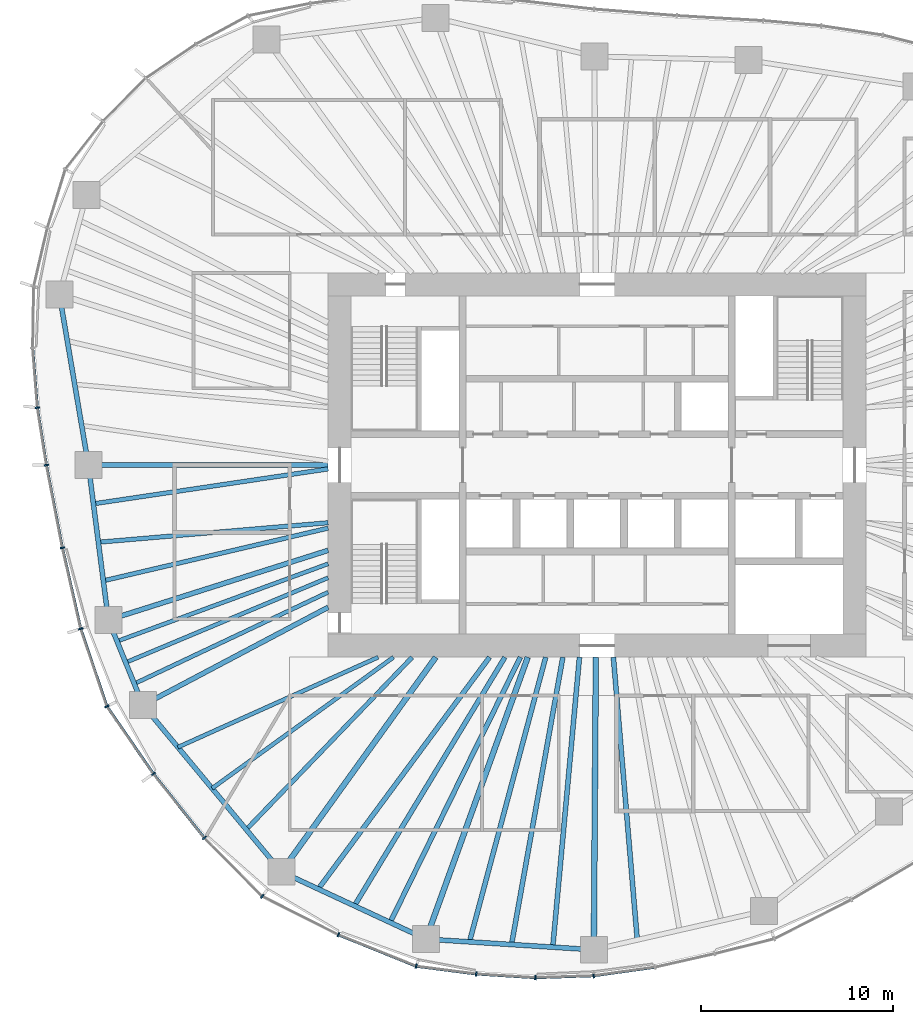
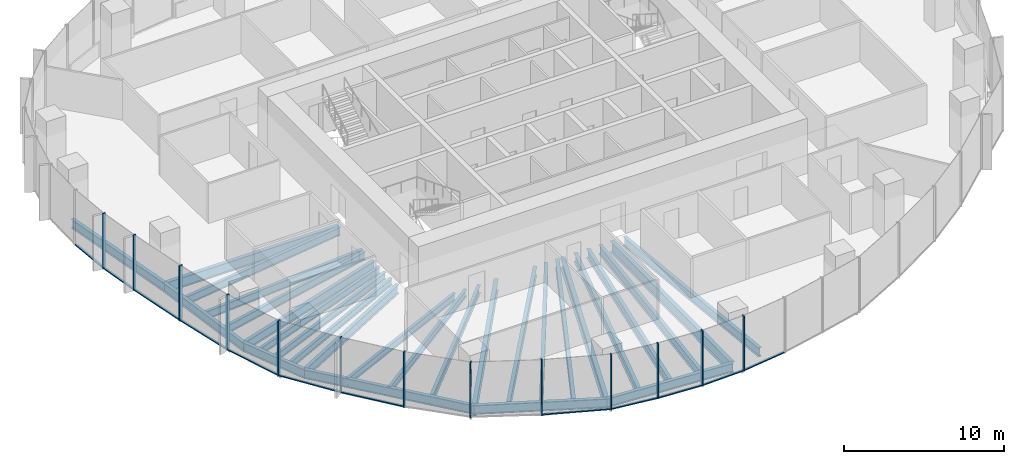
# One storey, part 2 of 18: 28 beams, 25 members, 7 elements without a shape of their own.
"""IFC4 building model written with IfcOpenShell, lengths in metres."""

import ifcopenshell
import ifcopenshell.guid

model = None  # the IFC model being written
_history = None  # IfcOwnerHistory: only IFC2X3 demands one
_inside = {}  # id of a spatial element -> (the spatial element, [elements in it])
_under = {}  # id of a project, library or spatial element -> (it, [spatial elements below it])
_declared = {}  # id of a project -> (the project, [libraries it declares])
_typed = {}  # id of a type object -> (the type object, [elements of that type])
_made_of = {}  # id of a material, layer set ... -> (it, [elements and type objects made of it])


def new_model(schema):
    """Start an empty IFC model of exactly this schema.

    Asked for "IFC4X3", IfcOpenShell would pick the latest addendum, in which some entities
    have other attributes; the version numbers below select the first issue.
    IFC2X3 requires an IfcOwnerHistory on every rooted entity: one is made here for all.
    """
    global model, _history
    if schema == "IFC4X3":
        model = ifcopenshell.file(schema_version=(4, 3, 0, 0))
    else:
        model = ifcopenshell.file(schema=schema)
    _inside.clear()
    _under.clear()
    _declared.clear()
    _typed.clear()
    _made_of.clear()
    _history = None
    if model.schema == "IFC2X3":
        org = make("IfcOrganization", Name="unknown")
        user = make(
            "IfcPersonAndOrganization",
            ThePerson=make("IfcPerson", FamilyName="unknown"),
            TheOrganization=org,
        )
        app = make(
            "IfcApplication",
            ApplicationDeveloper=org,
            Version="unknown",
            ApplicationFullName="unknown",
            ApplicationIdentifier="unknown",
        )
        _history = make(
            "IfcOwnerHistory",
            OwningUser=user,
            OwningApplication=app,
            ChangeAction="ADDED",
            CreationDate=0,
        )
    return model


def make(cls, **values):
    """One entity of the class cls with the attributes given. An attribute that is None is left unset."""
    return model.create_entity(
        cls, **{name: value for name, value in values.items() if value is not None}
    )


def rooted(cls, **values):
    """An entity with a GlobalId (a new one), such as an element, a storey or a relation."""
    return make(cls, GlobalId=ifcopenshell.guid.new(), OwnerHistory=_history, **values)


def si_unit(unit_type, name, prefix=None):
    """IfcSIUnit, for example si_unit("LENGTHUNIT", "METRE", prefix="MILLI")."""
    return make("IfcSIUnit", UnitType=unit_type, Prefix=prefix, Name=name)


def assignment(units):
    """IfcUnitAssignment: the units of a project."""
    return None if units is None else make("IfcUnitAssignment", Units=units)


def point(xyz):
    """IfcCartesianPoint."""
    return None if xyz is None else make("IfcCartesianPoint", Coordinates=xyz)


def direction(xyz):
    """IfcDirection."""
    return None if xyz is None else make("IfcDirection", DirectionRatios=xyz)


def frame(location, z_axis=None, x_axis=None):
    """IfcAxis2Placement3D, a coordinate frame: its origin and axes. An axis left out is left unset."""
    return make(
        "IfcAxis2Placement3D",
        Location=point(location),
        Axis=direction(z_axis),
        RefDirection=direction(x_axis),
    )


def frame_2d(location, x_axis=None):
    """IfcAxis2Placement2D, a coordinate frame in the plane: its origin and x axis."""
    return make(
        "IfcAxis2Placement2D", Location=point(location), RefDirection=direction(x_axis)
    )


def origin():
    """The frame at (0, 0, 0) with its axes left unset."""
    return frame((0.0, 0.0, 0.0))


def origin_2d():
    """The frame at (0, 0) in the plane with its x axis left unset."""
    return frame_2d((0.0, 0.0))


def place(relative_to, where):
    """IfcLocalPlacement: puts the frame where relative to a parent placement (None: the world)."""
    return make(
        "IfcLocalPlacement", PlacementRelTo=relative_to, RelativePlacement=where
    )


def context(
    kind, dimensions, precision=None, world=None, true_north=None, identifier=None
):
    """IfcGeometricRepresentationContext, for example the 3D "Model" context."""
    return make(
        "IfcGeometricRepresentationContext",
        ContextIdentifier=identifier,
        ContextType=kind,
        CoordinateSpaceDimension=dimensions,
        Precision=precision,
        WorldCoordinateSystem=world,
        TrueNorth=true_north,
    )


def subcontext(parent, identifier, kind, view, scale=None):
    """IfcGeometricRepresentationSubContext, for example "Body" below "Model"."""
    return make(
        "IfcGeometricRepresentationSubContext",
        ContextIdentifier=identifier,
        ContextType=kind,
        ParentContext=parent,
        TargetScale=scale,
        TargetView=view,
    )


def project(units=None, contexts=None):
    """IfcProject with its units and contexts."""
    return rooted(
        "IfcProject",
        Name="project",
        RepresentationContexts=contexts,
        UnitsInContext=assignment(units),
    )


def spatial(cls, under=None, at=None, **own):
    """A site, building, storey or space (cls), placed at a placement, below another one or the project."""
    s = rooted(cls, ObjectPlacement=at, **own)
    if under is not None:
        _under.setdefault(under.id(), (under, []))[1].append(s)
    return s


def profile(cls, at=None, kind="AREA", **sizes):
    """A parametric profile (cls). Its sizes go by their IFC names, for example OverallWidth=200.0."""
    return make(cls, ProfileType=kind, Position=at, **sizes)


def rectangle(**sizes):
    """IfcRectangleProfileDef."""
    return profile("IfcRectangleProfileDef", **sizes)


def i_section(**sizes):
    """IfcIShapeProfileDef."""
    return profile("IfcIShapeProfileDef", **sizes)


def extrude(swept, where, along, depth):
    """IfcExtrudedAreaSolid: the profile swept, set in the frame where, extruded along a direction by depth."""
    return make(
        "IfcExtrudedAreaSolid",
        SweptArea=swept,
        Position=where,
        ExtrudedDirection=direction(along),
        Depth=depth,
    )


def shape(context_of_items, identifier, shape_type, items):
    """IfcShapeRepresentation: the items that make up one representation, for example the "Body"."""
    return make(
        "IfcShapeRepresentation",
        ContextOfItems=context_of_items,
        RepresentationIdentifier=identifier,
        RepresentationType=shape_type,
        Items=items,
    )


def material(Name=None, Category=None):
    """IfcMaterial."""
    return make("IfcMaterial", Name=Name, Category=Category)


def material_profile(
    of_material, cross_section, Name=None, Category=None, Priority=None
):
    """IfcMaterialProfile: a cross section and its material."""
    return make(
        "IfcMaterialProfile",
        Name=Name,
        Material=of_material,
        Profile=cross_section,
        Priority=Priority,
        Category=Category,
    )


def profile_set(profiles, Name=None, composite=None):
    """IfcMaterialProfileSet."""
    return make(
        "IfcMaterialProfileSet",
        Name=Name,
        MaterialProfiles=profiles,
        CompositeProfile=composite,
    )


def made_of(thing, what):
    """Note that an element or type object is made of a material, layer set ...; save() writes the relation."""
    if what is not None:
        _made_of.setdefault(what.id(), (what, []))[1].append(thing)
    return thing


def type_object(cls, material=None, **own):
    """A type object (cls), such as IfcWallType, which elements share."""
    return made_of(rooted(cls, **own), material)


def element(
    cls,
    number,
    at=None,
    inside=None,
    cuts=None,
    type_object=None,
    material=None,
    context=None,
    identifier="Body",
    shape_type=None,
    held_by="IfcProductDefinitionShape",
    body=None,
    shapes=None,
    **own,
):
    """One element of the class cls, such as IfcWall. Its Tag is "e" and its number.

    at: its placement. inside: the storey or other place that contains it. cuts: it is an
    opening in that element (IfcRelVoidsElement). A single representation is given by context,
    identifier, shape_type and body (its items); several are given by shapes. held_by: the class
    of the entity that holds the representations. save() writes the other relations.
    """
    e = rooted(cls, Tag="e%d" % number, ObjectPlacement=at, **own)
    if body is not None:
        shapes = [shape(context, identifier, shape_type, body)]
    if shapes is not None:
        e.Representation = make(held_by, Representations=shapes)
    if inside is not None:
        _inside.setdefault(inside.id(), (inside, []))[1].append(e)
    if cuts is not None:
        rooted(
            "IfcRelVoidsElement", RelatingBuildingElement=cuts, RelatedOpeningElement=e
        )
    if type_object is not None:
        _typed.setdefault(type_object.id(), (type_object, []))[1].append(e)
    return made_of(e, material)


def aggregate(whole, parts):
    """IfcRelAggregates: a whole, such as a stair, and the parts it consists of."""
    return rooted("IfcRelAggregates", RelatingObject=whole, RelatedObjects=parts)


def save(model, path):
    """Write the relations noted so far, then the file.

    IfcRelAggregates (storeys below a building ...), IfcRelContainedInSpatialStructure (elements
    in a storey), IfcRelDefinesByType, IfcRelAssociatesMaterial and IfcRelDeclares: one each for
    every whole, place, type object, material and project.
    """
    for whole, parts in _under.values():
        aggregate(whole, parts)
    for where, things in _inside.values():
        rooted(
            "IfcRelContainedInSpatialStructure",
            RelatedElements=things,
            RelatingStructure=where,
        )
    for kind, things in _typed.values():
        rooted("IfcRelDefinesByType", RelatedObjects=things, RelatingType=kind)
    for what, things in _made_of.values():
        rooted("IfcRelAssociatesMaterial", RelatedObjects=things, RelatingMaterial=what)
    for by, libraries in _declared.values():
        rooted("IfcRelDeclares", RelatingContext=by, RelatedDefinitions=libraries)
    model.write(path)


model = new_model("IFC4")

# Units and contexts
model_context = context("Model", 3, precision=1e-05, world=origin(), true_north=direction((0.0, 1.0)))
body_context = subcontext(model_context, "Body", "Model", "MODEL_VIEW")
ifc_project = project(units=[si_unit("LENGTHUNIT", "METRE"), si_unit("AREAUNIT", "SQUARE_METRE"), si_unit("VOLUMEUNIT", "CUBIC_METRE"), si_unit("PLANEANGLEUNIT", "RADIAN"), si_unit("MASSUNIT", "GRAM", prefix="KILO")], contexts=[model_context])

# Site, building, storey
site_placement = place(None, origin())
site = spatial("IfcSite", under=ifc_project, at=site_placement, CompositionType="ELEMENT")
building_placement = place(site_placement, origin())
building = spatial("IfcBuilding", under=site, at=building_placement, Name="Ghaith Harvest Tower", CompositionType="ELEMENT")
storey_placement = place(building_placement, frame((0.0, 0.0, 163.800048828125)))
storey = spatial("IfcBuildingStorey", under=building, at=storey_placement, Name="L35", CompositionType="ELEMENT", Elevation=163.800048828125)

# Curtain wall, member
ifc_material_1 = material(Name="Black anodised aluminium and fritted glass", Category="aluminium")
curtain_wall_type = type_object("IfcCurtainWallType", Name="CW-L CURTAIN WALL", PredefinedType="NOTDEFINED", material=ifc_material_1)
curtain_wall_1_placement = place(storey_placement, origin())
curtain_wall_1 = element("IfcCurtainWall", 1, at=curtain_wall_1_placement, inside=storey, type_object=curtain_wall_type, Name="Curtain wall CW-L bay 10 L35", PredefinedType="NOTDEFINED")
ifc_material_2 = material(Name="Aluminium, black anodised", Category="aluminium")
ifc_material_profile_1 = material_profile(ifc_material_2, rectangle(XDim=0.080078125, YDim=0.239990234375, at=origin_2d()), Name="CW-L MULLION 80x240")
ifc_profile_set_1 = profile_set([ifc_material_profile_1], Name="Aluminium, black anodised")
member_type_1 = type_object("IfcMemberType", Name="CW-L MULLION 80x240", PredefinedType="MULLION", material=ifc_profile_set_1)
member_1_placement = place(storey_placement, frame((-29.131103515625, 2.990478515625, 0.0), z_axis=(0.0, 0.0, 1.0), x_axis=(0.116763791346, -0.993159713757, 0.0)))
member_1 = element("IfcMember", 2, at=member_1_placement, type_object=member_type_1, Name="CW-L mullion 3 bay 10 L35", PredefinedType="MULLION", context=body_context, shape_type="SweptSolid", body=[
    extrude(rectangle(XDim=0.080078125, YDim=0.239990234375, at=origin_2d()), origin(), (0.0, 0.0, 1.0), 4.199951171875),
])

# Curtain wall, members
curtain_wall_2_placement = place(storey_placement, origin())
curtain_wall_2 = element("IfcCurtainWall", 3, at=curtain_wall_2_placement, inside=storey, type_object=curtain_wall_type, Name="Curtain wall CW-L bay 11 L35", PredefinedType="NOTDEFINED")
member_2_placement = place(storey_placement, frame((-28.6611328125, 0.0, 0.0), z_axis=(0.0, 0.0, 1.0), x_axis=(0.175827209372, -0.984421044292, 0.0)))
member_2 = element("IfcMember", 4, at=member_2_placement, type_object=member_type_1, Name="CW-L mullion 1 bay 11 L35", PredefinedType="MULLION", context=body_context, shape_type="SweptSolid", body=[
    extrude(rectangle(XDim=0.080078125, YDim=0.239990234375, at=origin_2d()), origin(), (0.0, 0.0, 1.0), 4.199951171875),
])
member_3_placement = place(storey_placement, frame((-27.828125, -4.30419921875, 0.0), z_axis=(0.0, 0.0, 1.0), x_axis=(0.205176300018, -0.978725030798, 0.0)))
member_3 = element("IfcMember", 5, at=member_3_placement, type_object=member_type_1, Name="CW-L mullion 2 bay 11 L35", PredefinedType="MULLION", context=body_context, shape_type="SweptSolid", body=[
    extrude(rectangle(XDim=0.080078125, YDim=0.239990234375, at=origin_2d()), origin(), (0.0, 0.0, 1.0), 4.199951171875),
])

curtain_wall_3_placement = place(storey_placement, origin())
curtain_wall_3 = element("IfcCurtainWall", 6, at=curtain_wall_3_placement, inside=storey, type_object=curtain_wall_type, Name="Curtain wall CW-L bay 12 L35", PredefinedType="NOTDEFINED")
member_4_placement = place(storey_placement, frame((-26.875732421875, -8.517333984375, 0.0), z_axis=(0.0, 0.0, 1.0), x_axis=(0.270018818005, -0.962855045125, 0.0)))
member_4 = element("IfcMember", 7, at=member_4_placement, type_object=member_type_1, Name="CW-L mullion 1 bay 12 L35", PredefinedType="MULLION", context=body_context, shape_type="SweptSolid", body=[
    extrude(rectangle(XDim=0.080078125, YDim=0.239990234375, at=origin_2d()), origin(), (0.0, 0.0, 1.0), 4.199951171875),
])
member_5_placement = place(storey_placement, frame((-25.513427734375, -12.55810546875, 0.0), z_axis=(0.0, 0.0, 1.0), x_axis=(0.448267068681, -0.893899678452, 0.0)))
member_5 = element("IfcMember", 8, at=member_5_placement, type_object=member_type_1, Name="CW-L mullion 2 bay 12 L35", PredefinedType="MULLION", context=body_context, shape_type="SweptSolid", body=[
    extrude(rectangle(XDim=0.080078125, YDim=0.239990234375, at=origin_2d()), origin(), (0.0, 0.0, 1.0), 4.199951171875),
])

curtain_wall_4_placement = place(storey_placement, origin())
curtain_wall_4 = element("IfcCurtainWall", 9, at=curtain_wall_4_placement, inside=storey, type_object=curtain_wall_type, Name="Curtain wall CW-L bay 13 L35", PredefinedType="NOTDEFINED")
member_6_placement = place(storey_placement, frame((-23.090087890625, -16.066162109375, 0.0), z_axis=(0.0, 0.0, 1.0), x_axis=(0.595740202191, -0.803177198066, 0.0)))
member_6 = element("IfcMember", 10, at=member_6_placement, type_object=member_type_1, Name="CW-L mullion 1 bay 13 L35", PredefinedType="MULLION", context=body_context, shape_type="SweptSolid", body=[
    extrude(rectangle(XDim=0.080078125, YDim=0.239990234375, at=origin_2d()), origin(), (0.0, 0.0, 1.0), 4.199951171875),
])
member_7_placement = place(storey_placement, frame((-20.441162109375, -19.396728515625, 0.0), z_axis=(0.0, 0.0, 1.0), x_axis=(0.663764675537, -0.747941478666, 0.0)))
member_7 = element("IfcMember", 11, at=member_7_placement, type_object=member_type_1, Name="CW-L mullion 2 bay 13 L35", PredefinedType="MULLION", context=body_context, shape_type="SweptSolid", body=[
    extrude(rectangle(XDim=0.080078125, YDim=0.239990234375, at=origin_2d()), origin(), (0.0, 0.0, 1.0), 4.199951171875),
])

curtain_wall_5_placement = place(storey_placement, origin())
curtain_wall_5 = element("IfcCurtainWall", 12, at=curtain_wall_5_placement, inside=storey, type_object=curtain_wall_type, Name="Curtain wall CW-L bay 14 L35", PredefinedType="NOTDEFINED")
member_8_placement = place(storey_placement, frame((-17.430419921875, -22.443603515625, 0.0), z_axis=(0.0, 0.0, 1.0), x_axis=(0.810339399222, -0.585960799089, 0.0)))
member_8 = element("IfcMember", 13, at=member_8_placement, type_object=member_type_1, Name="CW-L mullion 1 bay 14 L35", PredefinedType="MULLION", context=body_context, shape_type="SweptSolid", body=[
    extrude(rectangle(XDim=0.080078125, YDim=0.239990234375, at=origin_2d()), origin(), (0.0, 0.0, 1.0), 4.199951171875),
])
member_9_placement = place(storey_placement, frame((-13.463134765625, -24.4423828125, 0.0), z_axis=(0.0, 0.0, 1.0), x_axis=(0.910648017946, -0.413182995066, 0.0)))
member_9 = element("IfcMember", 14, at=member_9_placement, type_object=member_type_1, Name="CW-L mullion 2 bay 14 L35", PredefinedType="MULLION", context=body_context, shape_type="SweptSolid", body=[
    extrude(rectangle(XDim=0.080078125, YDim=0.239990234375, at=origin_2d()), origin(), (0.0, 0.0, 1.0), 4.199951171875),
])

curtain_wall_6_placement = place(storey_placement, origin())
curtain_wall_6 = element("IfcCurtainWall", 15, at=curtain_wall_6_placement, inside=storey, type_object=curtain_wall_type, Name="Curtain wall CW-L bay 15 L35", PredefinedType="NOTDEFINED")
member_10_placement = place(storey_placement, frame((-9.4189453125, -26.07861328125, 0.0), z_axis=(0.0, 0.0, 1.0), x_axis=(0.961788606004, -0.273793128768, 0.0)))
member_10 = element("IfcMember", 16, at=member_10_placement, type_object=member_type_1, Name="CW-L mullion 1 bay 15 L35", PredefinedType="MULLION", context=body_context, shape_type="SweptSolid", body=[
    extrude(rectangle(XDim=0.080078125, YDim=0.239990234375, at=origin_2d()), origin(), (0.0, 0.0, 1.0), 4.199951171875),
])
member_11_placement = place(storey_placement, frame((-6.29443359375, -26.483154296875, 0.0), z_axis=(0.0, 0.0, 1.0), x_axis=(0.995389243171, -0.095917957546, 0.0)))
member_11 = element("IfcMember", 17, at=member_11_placement, type_object=member_type_1, Name="CW-L mullion 2 bay 15 L35", PredefinedType="MULLION", context=body_context, shape_type="SweptSolid", body=[
    extrude(rectangle(XDim=0.080078125, YDim=0.239990234375, at=origin_2d()), origin(), (0.0, 0.0, 1.0), 4.199951171875),
])
member_12_placement = place(storey_placement, frame((-3.21923828125, -26.676025390625, 0.0), z_axis=(0.0, 0.0, 1.0), x_axis=(0.999890531495, -0.014796115241, 0.0)))
member_12 = element("IfcMember", 18, at=member_12_placement, type_object=member_type_1, Name="CW-L mullion 3 bay 15 L35", PredefinedType="MULLION", context=body_context, shape_type="SweptSolid", body=[
    extrude(rectangle(XDim=0.080078125, YDim=0.239990234375, at=origin_2d()), origin(), (0.0, 0.0, 1.0), 4.199951171875),
])

# Curtain wall, member
curtain_wall_7_placement = place(storey_placement, origin())
curtain_wall_7 = element("IfcCurtainWall", 19, at=curtain_wall_7_placement, inside=storey, type_object=curtain_wall_type, Name="Curtain wall CW-L bay 16 L35", PredefinedType="NOTDEFINED")
member_13_placement = place(storey_placement, frame((-0.181884765625, -26.57373046875, 0.0), z_axis=(0.0, 0.0, 1.0), x_axis=(0.996169227662, 0.087446382772, 0.0)))
member_13 = element("IfcMember", 20, at=member_13_placement, type_object=member_type_1, Name="CW-L mullion 1 bay 16 L35", PredefinedType="MULLION", context=body_context, shape_type="SweptSolid", body=[
    extrude(rectangle(XDim=0.080078125, YDim=0.239990234375, at=origin_2d()), origin(), (0.0, 0.0, 1.0), 4.199951171875),
])

# Member
ifc_material_3 = material(Name="Aluminium, black anodised", Category="aluminium")
ifc_material_profile_2 = material_profile(ifc_material_3, rectangle(XDim=0.14990234375, YDim=0.080078125, at=origin_2d()), Name="CW-L TRANSOM 150x80")
ifc_profile_set_2 = profile_set([ifc_material_profile_2], Name="Aluminium, black anodised")
member_type_2 = type_object("IfcMemberType", Name="CW-L TRANSOM 150x80", PredefinedType="USERDEFINED", material=ifc_profile_set_2)
member_14_placement = place(storey_placement, frame((-29.374755859375, 6.05615234375, 0.0400390625), z_axis=(0.079230491279, -0.996856323274, 0.0), x_axis=(0.996856323274, 0.079230491279, 0.0)))
member_14 = element("IfcMember", 21, at=member_14_placement, type_object=member_type_2, Name="CW-L transom 2 bay 10 L35", ObjectType="TRANSOM", PredefinedType="USERDEFINED", context=body_context, shape_type="SweptSolid", body=[
    extrude(rectangle(XDim=0.14990234375, YDim=0.080078125, at=origin_2d()), origin(), (0.0, 0.0, 1.0), 3.03515625),
])

member_15_placement = place(storey_placement, frame((-29.124755859375, 2.951171875, 0.0400390625), z_axis=(0.155150065502, -0.987890913601, 0.0), x_axis=(0.987890913601, 0.155150065502, 0.0)))
member_15 = element("IfcMember", 22, at=member_15_placement, type_object=member_type_2, Name="CW-L transom 3 bay 10 L35", ObjectType="TRANSOM", PredefinedType="USERDEFINED", context=body_context, shape_type="SweptSolid", body=[
    extrude(rectangle(XDim=0.14990234375, YDim=0.080078125, at=origin_2d()), origin(), (0.0, 0.0, 1.0), 2.947265625),
])

aggregate(curtain_wall_1, [member_14, member_1, member_15])

member_16_placement = place(storey_placement, frame((-28.653564453125, -0.039306640625, 0.0400390625), z_axis=(0.190025434036, -0.981779167848, 0.0), x_axis=(0.981779167848, 0.190025434036, 0.0)))
member_16 = element("IfcMember", 23, at=member_16_placement, type_object=member_type_2, Name="CW-L transom 1 bay 11 L35", ObjectType="TRANSOM", PredefinedType="USERDEFINED", context=body_context, shape_type="SweptSolid", body=[
    extrude(rectangle(XDim=0.14990234375, YDim=0.080078125, at=origin_2d()), origin(), (0.0, 0.0, 1.0), 4.303955078125),
])

member_17_placement = place(storey_placement, frame((-27.8193359375, -4.34326171875, 0.0400390625), z_axis=(0.220508326041, -0.975385092231, 0.0), x_axis=(0.975385092231, 0.220508326041, 0.0)))
member_17 = element("IfcMember", 24, at=member_17_placement, type_object=member_type_2, Name="CW-L transom 2 bay 11 L35", ObjectType="TRANSOM", PredefinedType="USERDEFINED", context=body_context, shape_type="SweptSolid", body=[
    extrude(rectangle(XDim=0.14990234375, YDim=0.080078125, at=origin_2d()), origin(), (0.0, 0.0, 1.0), 4.2392578125),
])

aggregate(curtain_wall_2, [member_2, member_16, member_3, member_17])

member_18_placement = place(storey_placement, frame((-26.863037109375, -8.55517578125, 0.0400390625), z_axis=(0.319499057133, -0.947586593664, 0.0), x_axis=(0.947586593664, 0.319499057133, 0.0)))
member_18 = element("IfcMember", 25, at=member_18_placement, type_object=member_type_2, Name="CW-L transom 1 bay 12 L35", ObjectType="TRANSOM", PredefinedType="USERDEFINED", context=body_context, shape_type="SweptSolid", body=[
    extrude(rectangle(XDim=0.14990234375, YDim=0.080078125, at=origin_2d()), origin(), (0.0, 0.0, 1.0), 4.184326171875),
])

member_19_placement = place(storey_placement, frame((-25.49072265625, -12.591064453125, 0.0400390625), z_axis=(0.568360052499, -0.822779952796, 0.0), x_axis=(0.822779952796, 0.568360052499, 0.0)))
member_19 = element("IfcMember", 26, at=member_19_placement, type_object=member_type_2, Name="CW-L transom 2 bay 12 L35", ObjectType="TRANSOM", PredefinedType="USERDEFINED", context=body_context, shape_type="SweptSolid", body=[
    extrude(rectangle(XDim=0.14990234375, YDim=0.080078125, at=origin_2d()), origin(), (0.0, 0.0, 1.0), 4.183837890625),
])

aggregate(curtain_wall_3, [member_4, member_18, member_5, member_19])

member_20_placement = place(storey_placement, frame((-23.065185546875, -16.09765625, 0.0400390625), z_axis=(0.622510542814, -0.782611413209, 0.0), x_axis=(0.782611413209, 0.622510542814, 0.0)))
member_20 = element("IfcMember", 27, at=member_20_placement, type_object=member_type_2, Name="CW-L transom 1 bay 13 L35", ObjectType="TRANSOM", PredefinedType="USERDEFINED", context=body_context, shape_type="SweptSolid", body=[
    extrude(rectangle(XDim=0.14990234375, YDim=0.080078125, at=origin_2d()), origin(), (0.0, 0.0, 1.0), 4.17529296875),
])

aggregate(curtain_wall_4, [member_6, member_20, member_7])

member_21_placement = place(storey_placement, frame((-13.426025390625, -24.45751953125, 0.0400390625), z_axis=(0.92700297754, -0.375053968959, 0.0), x_axis=(0.375053968959, 0.92700297754, 0.0)))
member_21 = element("IfcMember", 28, at=member_21_placement, type_object=member_type_2, Name="CW-L transom 2 bay 14 L35", ObjectType="TRANSOM", PredefinedType="USERDEFINED", context=body_context, shape_type="SweptSolid", body=[
    extrude(rectangle(XDim=0.14990234375, YDim=0.080078125, at=origin_2d()), origin(), (0.0, 0.0, 1.0), 4.282470703125),
])

aggregate(curtain_wall_5, [member_8, member_9, member_21])

member_22_placement = place(storey_placement, frame((-9.37939453125, -26.083740234375, 0.0400390625), z_axis=(0.991722765635, -0.128397648429, 0.0), x_axis=(0.128397648429, 0.991722765635, 0.0)))
member_22 = element("IfcMember", 29, at=member_22_placement, type_object=member_type_2, Name="CW-L transom 1 bay 15 L35", ObjectType="TRANSOM", PredefinedType="USERDEFINED", context=body_context, shape_type="SweptSolid", body=[
    extrude(rectangle(XDim=0.14990234375, YDim=0.080078125, at=origin_2d()), origin(), (0.0, 0.0, 1.0), 3.07080078125),
])

member_23_placement = place(storey_placement, frame((-6.25439453125, -26.485595703125, 0.0400390625), z_axis=(0.998036402434, -0.062636566132, 0.0), x_axis=(0.062636566132, 0.998036402434, 0.0)))
member_23 = element("IfcMember", 30, at=member_23_placement, type_object=member_type_2, Name="CW-L transom 2 bay 15 L35", ObjectType="TRANSOM", PredefinedType="USERDEFINED", context=body_context, shape_type="SweptSolid", body=[
    extrude(rectangle(XDim=0.14990234375, YDim=0.080078125, at=origin_2d()), origin(), (0.0, 0.0, 1.0), 3.001220703125),
])

member_24_placement = place(storey_placement, frame((-3.17919921875, -26.6748046875, 0.0400390625), z_axis=(0.999430436664, 0.033746144522, 0.0), x_axis=(-0.033746144522, 0.999430436664, 0.0)))
member_24 = element("IfcMember", 31, at=member_24_placement, type_object=member_type_2, Name="CW-L transom 3 bay 15 L35", ObjectType="TRANSOM", PredefinedType="USERDEFINED", context=body_context, shape_type="SweptSolid", body=[
    extrude(rectangle(XDim=0.14990234375, YDim=0.080078125, at=origin_2d()), origin(), (0.0, 0.0, 1.0), 2.958984375),
])

aggregate(curtain_wall_6, [member_10, member_22, member_11, member_23, member_12, member_24])

member_25_placement = place(storey_placement, frame((-0.142333984375, -26.568115234375, 0.0400390625), z_axis=(0.990446640965, 0.137896524254, 0.0), x_axis=(-0.137896524254, 0.990446640965, 0.0)))
member_25 = element("IfcMember", 32, at=member_25_placement, type_object=member_type_2, Name="CW-L transom 1 bay 16 L35", ObjectType="TRANSOM", PredefinedType="USERDEFINED", context=body_context, shape_type="SweptSolid", body=[
    extrude(rectangle(XDim=0.14990234375, YDim=0.080078125, at=origin_2d()), origin(), (0.0, 0.0, 1.0), 3.142578125),
])

aggregate(curtain_wall_7, [member_13, member_25])

# Beams
ifc_material_4 = material(Name="Steel ASTM A992 Grade 50", Category="steel")
ifc_material_profile_3 = material_profile(ifc_material_4, i_section(OverallWidth=0.25390625, OverallDepth=0.68408203125, WebThickness=0.012451171875, FlangeThickness=0.018798828125, at=origin_2d()), Name="W690X140")
ifc_profile_set_3 = profile_set([ifc_material_profile_3], Name="Steel ASTM A992 Grade 50")
beam_type_1 = type_object("IfcBeamType", Name="E690-140 W690X140", PredefinedType="SPANDREL", material=ifc_profile_set_3)
beam_1_placement = place(storey_placement, frame((-27.98291015625, 8.867919921875, -0.511962890625), z_axis=(0.167624246844, -0.985850958244, 0.0), x_axis=(0.985850958244, 0.167624246844, 0.0)))
element("IfcBeam", 33, at=beam_1_placement, inside=storey, type_object=beam_type_1, Name="Edge beam E10 L35", PredefinedType="SPANDREL", context=body_context, shape_type="SweptSolid", body=[
    extrude(i_section(OverallWidth=0.25390625, OverallDepth=0.68408203125, WebThickness=0.012451171875, FlangeThickness=0.018798828125, at=origin_2d()), origin(), (0.0, 0.0, 1.0), 8.9951171875),
])
beam_2_placement = place(storey_placement, frame((-26.47509765625, 0.0, -0.511962890625), z_axis=(0.127841715048, -0.991794583517, 0.0), x_axis=(0.991794583517, 0.127841715048, 0.0)))
element("IfcBeam", 34, at=beam_2_placement, inside=storey, type_object=beam_type_1, Name="Edge beam E11 L35", PredefinedType="SPANDREL", context=body_context, shape_type="SweptSolid", body=[
    extrude(i_section(OverallWidth=0.25390625, OverallDepth=0.68408203125, WebThickness=0.012451171875, FlangeThickness=0.018798828125, at=origin_2d()), origin(), (0.0, 0.0, 1.0), 8.127685546875),
])
beam_3_placement = place(storey_placement, frame((-25.43603515625, -8.06103515625, -0.511962890625), z_axis=(0.376479712052, -0.9264248628, 0.0), x_axis=(0.9264248628, 0.376479712052, 0.0)))
element("IfcBeam", 35, at=beam_3_placement, inside=storey, type_object=beam_type_1, Name="Edge beam E12 L35", PredefinedType="SPANDREL", context=body_context, shape_type="SweptSolid", body=[
    extrude(i_section(OverallWidth=0.25390625, OverallDepth=0.68408203125, WebThickness=0.012451171875, FlangeThickness=0.018798828125, at=origin_2d()), origin(), (0.0, 0.0, 1.0), 4.783935546875),
])
beam_4_placement = place(storey_placement, frame((-23.635009765625, -12.492919921875, -0.511962890625), z_axis=(0.638719320052, -0.769439815835, 0.0), x_axis=(0.769439815835, 0.638719320052, 0.0)))
element("IfcBeam", 36, at=beam_4_placement, inside=storey, type_object=beam_type_1, Name="Edge beam E13 L35", PredefinedType="SPANDREL", context=body_context, shape_type="SweptSolid", body=[
    extrude(i_section(OverallWidth=0.25390625, OverallDepth=0.68408203125, WebThickness=0.012451171875, FlangeThickness=0.018798828125, at=origin_2d()), origin(), (0.0, 0.0, 1.0), 11.26953125),
])
beam_5_placement = place(storey_placement, frame((-16.43701171875, -21.1640625, -0.511962890625), z_axis=(0.906607079462, -0.421975832802, 0.0), x_axis=(0.421975832802, 0.906607079462, 0.0)))
element("IfcBeam", 37, at=beam_5_placement, inside=storey, type_object=beam_type_1, Name="Edge beam E14 L35", PredefinedType="SPANDREL", context=body_context, shape_type="SweptSolid", body=[
    extrude(i_section(OverallWidth=0.25390625, OverallDepth=0.68408203125, WebThickness=0.012451171875, FlangeThickness=0.018798828125, at=origin_2d()), origin(), (0.0, 0.0, 1.0), 8.303466796875),
])
beam_6_placement = place(storey_placement, frame((-8.908935546875, -24.66796875, -0.511962890625), z_axis=(0.99797963184, -0.063534671101, 0.0), x_axis=(0.063534671101, 0.99797963184, 0.0)))
element("IfcBeam", 38, at=beam_6_placement, inside=storey, type_object=beam_type_1, Name="Edge beam E15 L35", PredefinedType="SPANDREL", context=body_context, shape_type="SweptSolid", body=[
    extrude(i_section(OverallWidth=0.25390625, OverallDepth=0.68408203125, WebThickness=0.012451171875, FlangeThickness=0.018798828125, at=origin_2d()), origin(), (0.0, 0.0, 1.0), 8.75341796875),
])
ifc_material_5 = material(Name="Steel ASTM A992 Grade 50", Category="steel")
ifc_material_profile_4 = material_profile(ifc_material_5, i_section(OverallWidth=0.256103515625, OverallDepth=0.693115234375, WebThickness=0.014404296875, FlangeThickness=0.023681640625, at=origin_2d()), Name="W690X170")
ifc_profile_set_4 = profile_set([ifc_material_profile_4], Name="Steel ASTM A992 Grade 50")
beam_type_2 = type_object("IfcBeamType", Name="G690-170 W690X170", PredefinedType="BEAM", material=ifc_profile_set_4)
beam_7_placement = place(storey_placement, frame((-14.0, -4.43701171875, -0.5166015625), z_axis=(-0.953279533519, -0.302089607522, 0.0), x_axis=(0.302089607522, -0.953279533519, 0.0)))
element("IfcBeam", 39, at=beam_7_placement, inside=storey, type_object=beam_type_2, Name="Radial girder G12 L35", PredefinedType="BEAM", context=body_context, shape_type="SweptSolid", body=[
    extrude(i_section(OverallWidth=0.256103515625, OverallDepth=0.693115234375, WebThickness=0.014404296875, FlangeThickness=0.023681640625, at=origin_2d()), origin(), (0.0, 0.0, 1.0), 11.99658203125),
])
beam_8_placement = place(storey_placement, frame((-14.0, -7.39990234375, -0.5166015625), z_axis=(-0.884086346066, -0.467323584576, 0.0), x_axis=(0.467323584576, -0.884086346066, 0.0)))
element("IfcBeam", 40, at=beam_8_placement, inside=storey, type_object=beam_type_2, Name="Radial girder G13 L35", PredefinedType="BEAM", context=body_context, shape_type="SweptSolid", body=[
    extrude(i_section(OverallWidth=0.256103515625, OverallDepth=0.693115234375, WebThickness=0.014404296875, FlangeThickness=0.023681640625, at=origin_2d()), origin(), (0.0, 0.0, 1.0), 10.898193359375),
])
ifc_material_6 = material(Name="Steel ASTM A992 Grade 50", Category="steel")
ifc_material_profile_5 = material_profile(ifc_material_6, i_section(OverallWidth=0.26806640625, OverallDepth=0.77001953125, WebThickness=0.015625, FlangeThickness=0.025390625, at=origin_2d()), Name="W760X196")
ifc_profile_set_5 = profile_set([ifc_material_profile_5], Name="Steel ASTM A992 Grade 50")
beam_type_3 = type_object("IfcBeamType", Name="G760-196 W760X196", PredefinedType="BEAM", material=ifc_profile_set_5)
beam_9_placement = place(storey_placement, frame((-14.0, 0.0, -0.554931640625), z_axis=(-1.0, 0.0, 0.0), x_axis=(0.0, -1.0, 0.0)))
element("IfcBeam", 41, at=beam_9_placement, inside=storey, type_object=beam_type_3, Name="Radial girder G11 L35", PredefinedType="BEAM", context=body_context, shape_type="SweptSolid", body=[
    extrude(i_section(OverallWidth=0.26806640625, OverallDepth=0.77001953125, WebThickness=0.015625, FlangeThickness=0.025390625, at=origin_2d()), origin(), (0.0, 0.0, 1.0), 12.47509765625),
])
ifc_material_7 = material(Name="Steel ASTM A992 Grade 50", Category="steel")
ifc_material_profile_6 = material_profile(ifc_material_7, i_section(OverallWidth=0.2939453125, OverallDepth=0.85107421875, WebThickness=0.01611328125, FlangeThickness=0.02685546875, at=origin_2d()), Name="W840X226")
ifc_profile_set_6 = profile_set([ifc_material_profile_6], Name="Steel ASTM A992 Grade 50")
beam_type_4 = type_object("IfcBeamType", Name="G840-226 W840X226", PredefinedType="BEAM", material=ifc_profile_set_6)
beam_10_placement = place(storey_placement, frame((-8.39990234375, -10.0, -0.595458984375), z_axis=(-0.584256100809, -0.811569349265, 0.0), x_axis=(0.811569349265, -0.584256100809, 0.0)))
element("IfcBeam", 42, at=beam_10_placement, inside=storey, type_object=beam_type_4, Name="Radial girder G14 L35", PredefinedType="BEAM", context=body_context, shape_type="SweptSolid", body=[
    extrude(i_section(OverallWidth=0.2939453125, OverallDepth=0.85107421875, WebThickness=0.01611328125, FlangeThickness=0.02685546875, at=origin_2d()), origin(), (0.0, 0.0, 1.0), 13.756103515625),
])
beam_11_placement = place(storey_placement, frame((-3.61181640625, -10.0, -0.595458984375), z_axis=(-0.339664467784, -0.940546675782, 0.0), x_axis=(0.940546675782, -0.339664467784, 0.0)))
element("IfcBeam", 43, at=beam_11_placement, inside=storey, type_object=beam_type_4, Name="Radial girder G15 L35", PredefinedType="BEAM", context=body_context, shape_type="SweptSolid", body=[
    extrude(i_section(OverallWidth=0.2939453125, OverallDepth=0.85107421875, WebThickness=0.01611328125, FlangeThickness=0.02685546875, at=origin_2d()), origin(), (0.0, 0.0, 1.0), 15.59521484375),
])
beam_12_placement = place(storey_placement, frame((-0.068359375, -10.0, -0.595458984375), z_axis=(-0.006879467722, -0.999976336182, 0.0), x_axis=(0.999976336182, -0.006879467722, 0.0)))
element("IfcBeam", 44, at=beam_12_placement, inside=storey, type_object=beam_type_4, Name="Radial girder G16 L35", PredefinedType="BEAM", context=body_context, shape_type="SweptSolid", body=[
    extrude(i_section(OverallWidth=0.2939453125, OverallDepth=0.85107421875, WebThickness=0.01611328125, FlangeThickness=0.02685546875, at=origin_2d()), origin(), (0.0, 0.0, 1.0), 15.224365234375),
])
ifc_material_8 = material(Name="Steel ASTM A992 Grade 50", Category="steel")
ifc_material_profile_7 = material_profile(ifc_material_8, i_section(OverallWidth=0.2109375, OverallDepth=0.5390625, WebThickness=0.01171875, FlangeThickness=0.018798828125, at=origin_2d()), Name="W530X109")
ifc_profile_set_7 = profile_set([ifc_material_profile_7], Name="Steel ASTM A992 Grade 50")
beam_type_5 = type_object("IfcBeamType", Name="J530-109 W530X109", PredefinedType="JOIST", material=ifc_profile_set_7)
beam_13_placement = place(storey_placement, frame((-14.0, -5.137939453125, -0.439453125), z_axis=(-0.938774452531, -0.344532331247, 0.0), x_axis=(0.344532331247, -0.938774452531, 0.0)))
element("IfcBeam", 45, at=beam_13_placement, inside=storey, type_object=beam_type_5, Name="Joist J12.1 L35", PredefinedType="JOIST", context=body_context, shape_type="SweptSolid", body=[
    extrude(i_section(OverallWidth=0.2109375, OverallDepth=0.5390625, WebThickness=0.01171875, FlangeThickness=0.018798828125, at=origin_2d()), origin(), (0.0, 0.0, 1.0), 11.7021484375),
])
beam_14_placement = place(storey_placement, frame((-14.0, -5.862548828125, -0.439453125), z_axis=(-0.922385564947, -0.386270461693, 0.0), x_axis=(0.386270461693, -0.922385564947, 0.0)))
element("IfcBeam", 46, at=beam_14_placement, inside=storey, type_object=beam_type_5, Name="Joist J12.2 L35", PredefinedType="JOIST", context=body_context, shape_type="SweptSolid", body=[
    extrude(i_section(OverallWidth=0.2109375, OverallDepth=0.5390625, WebThickness=0.01171875, FlangeThickness=0.018798828125, at=origin_2d()), origin(), (0.0, 0.0, 1.0), 11.4228515625),
])
beam_15_placement = place(storey_placement, frame((-14.0, -6.614990234375, -0.439453125), z_axis=(-0.904150042111, -0.427215052815, 0.0), x_axis=(0.427215052815, -0.904150042111, 0.0)))
element("IfcBeam", 47, at=beam_15_placement, inside=storey, type_object=beam_type_5, Name="Joist J12.3 L35", PredefinedType="JOIST", context=body_context, shape_type="SweptSolid", body=[
    extrude(i_section(OverallWidth=0.2109375, OverallDepth=0.5390625, WebThickness=0.01171875, FlangeThickness=0.018798828125, at=origin_2d()), origin(), (0.0, 0.0, 1.0), 11.15625),
])
beam_16_placement = place(storey_placement, frame((-11.39990234375, -10.0, -0.439453125), z_axis=(-0.912147734774, -0.409861574127, 0.0), x_axis=(0.409861574127, -0.912147734774, 0.0)))
element("IfcBeam", 48, at=beam_16_placement, inside=storey, type_object=beam_type_5, Name="Joist J13.1 L35", PredefinedType="JOIST", context=body_context, shape_type="SweptSolid", body=[
    extrude(i_section(OverallWidth=0.2109375, OverallDepth=0.5390625, WebThickness=0.01171875, FlangeThickness=0.018798828125, at=origin_2d()), origin(), (0.0, 0.0, 1.0), 11.421875),
])
beam_17_placement = place(storey_placement, frame((-10.60009765625, -10.0, -0.439453125), z_axis=(-0.810452010932, -0.5858050341, 0.0), x_axis=(0.5858050341, -0.810452010932, 0.0)))
element("IfcBeam", 49, at=beam_17_placement, inside=storey, type_object=beam_type_5, Name="Joist J13.2 L35", PredefinedType="JOIST", context=body_context, shape_type="SweptSolid", body=[
    extrude(i_section(OverallWidth=0.2109375, OverallDepth=0.5390625, WebThickness=0.01171875, FlangeThickness=0.018798828125, at=origin_2d()), origin(), (0.0, 0.0, 1.0), 11.64794921875),
])
ifc_material_9 = material(Name="Steel ASTM A992 Grade 50", Category="steel")
ifc_material_profile_8 = material_profile(ifc_material_9, i_section(OverallWidth=0.22900390625, OverallDepth=0.612060546875, WebThickness=0.011962890625, FlangeThickness=0.01953125, at=origin_2d()), Name="W610X125")
ifc_profile_set_8 = profile_set([ifc_material_profile_8], Name="Steel ASTM A992 Grade 50")
beam_type_6 = type_object("IfcBeamType", Name="J610-125 W610X125", PredefinedType="JOIST", material=ifc_profile_set_8)
beam_18_placement = place(storey_placement, frame((-14.0, -0.199951171875, -0.47607421875), z_axis=(-0.989135422742, -0.147007195321, 0.0), x_axis=(0.147007195321, -0.989135422742, 0.0)))
element("IfcBeam", 50, at=beam_18_placement, inside=storey, type_object=beam_type_6, Name="Joist J11.1 L35", PredefinedType="JOIST", context=body_context, shape_type="SweptSolid", body=[
    extrude(i_section(OverallWidth=0.22900390625, OverallDepth=0.612060546875, WebThickness=0.011962890625, FlangeThickness=0.01953125, at=origin_2d()), origin(), (0.0, 0.0, 1.0), 12.349365234375),
])
beam_19_placement = place(storey_placement, frame((-14.0, -3.0, -0.47607421875), z_axis=(-0.996417474722, -0.0845707755, 0.0), x_axis=(0.0845707755, -0.996417474722, 0.0)))
element("IfcBeam", 51, at=beam_19_placement, inside=storey, type_object=beam_type_6, Name="Joist J11.2 L35", PredefinedType="JOIST", context=body_context, shape_type="SweptSolid", body=[
    extrude(i_section(OverallWidth=0.22900390625, OverallDepth=0.612060546875, WebThickness=0.011962890625, FlangeThickness=0.01953125, at=origin_2d()), origin(), (0.0, 0.0, 1.0), 12.00048828125),
])
beam_20_placement = place(storey_placement, frame((-14.0, -3.280517578125, -0.47607421875), z_axis=(-0.973624350862, -0.228157014813, 0.0), x_axis=(0.228157014813, -0.973624350862, 0.0)))
element("IfcBeam", 52, at=beam_20_placement, inside=storey, type_object=beam_type_6, Name="Joist J11.3 L35", PredefinedType="JOIST", context=body_context, shape_type="SweptSolid", body=[
    extrude(i_section(OverallWidth=0.22900390625, OverallDepth=0.612060546875, WebThickness=0.011962890625, FlangeThickness=0.01953125, at=origin_2d()), origin(), (0.0, 0.0, 1.0), 12.015625),
])
beam_21_placement = place(storey_placement, frame((-9.626708984375, -10.0, -0.47607421875), z_axis=(-0.693534641621, -0.720423278963, 0.0), x_axis=(0.720423278963, -0.693534641621, 0.0)))
element("IfcBeam", 53, at=beam_21_placement, inside=storey, type_object=beam_type_6, Name="Joist J13.3 L35", PredefinedType="JOIST", context=body_context, shape_type="SweptSolid", body=[
    extrude(i_section(OverallWidth=0.22900390625, OverallDepth=0.612060546875, WebThickness=0.011962890625, FlangeThickness=0.01953125, at=origin_2d()), origin(), (0.0, 0.0, 1.0), 12.4482421875),
])
ifc_material_10 = material(Name="Steel ASTM A992 Grade 50", Category="steel")
ifc_material_profile_9 = material_profile(ifc_material_10, i_section(OverallWidth=0.25390625, OverallDepth=0.68408203125, WebThickness=0.012451171875, FlangeThickness=0.018798828125, at=origin_2d()), Name="W690X140")
ifc_profile_set_9 = profile_set([ifc_material_profile_9], Name="Steel ASTM A992 Grade 50")
beam_type_7 = type_object("IfcBeamType", Name="J690-140 W690X140", PredefinedType="JOIST", material=ifc_profile_set_9)
beam_22_placement = place(storey_placement, frame((-5.60009765625, -10.0, -0.511962890625), z_axis=(-0.59434024765, -0.804213696739, 0.0), x_axis=(0.804213696739, -0.59434024765, 0.0)))
element("IfcBeam", 54, at=beam_22_placement, inside=storey, type_object=beam_type_7, Name="Joist J14.1 L35", PredefinedType="JOIST", context=body_context, shape_type="SweptSolid", body=[
    extrude(i_section(OverallWidth=0.25390625, OverallDepth=0.68408203125, WebThickness=0.012451171875, FlangeThickness=0.018798828125, at=origin_2d()), origin(), (0.0, 0.0, 1.0), 14.995849609375),
])
beam_23_placement = place(storey_placement, frame((-4.800048828125, -10.0, -0.511962890625), z_axis=(-0.517986442874, -0.855388826791, 0.0), x_axis=(0.855388826791, -0.517986442874, 0.0)))
element("IfcBeam", 55, at=beam_23_placement, inside=storey, type_object=beam_type_7, Name="Joist J14.2 L35", PredefinedType="JOIST", context=body_context, shape_type="SweptSolid", body=[
    extrude(i_section(OverallWidth=0.25390625, OverallDepth=0.68408203125, WebThickness=0.012451171875, FlangeThickness=0.018798828125, at=origin_2d()), origin(), (0.0, 0.0, 1.0), 15.12158203125),
])
beam_24_placement = place(storey_placement, frame((-4.0, -10.0, -0.511962890625), z_axis=(-0.440562898219, -0.897721745706, 0.0), x_axis=(0.897721745706, -0.440562898219, 0.0)))
element("IfcBeam", 56, at=beam_24_placement, inside=storey, type_object=beam_type_7, Name="Joist J14.3 L35", PredefinedType="JOIST", context=body_context, shape_type="SweptSolid", body=[
    extrude(i_section(OverallWidth=0.25390625, OverallDepth=0.68408203125, WebThickness=0.012451171875, FlangeThickness=0.018798828125, at=origin_2d()), origin(), (0.0, 0.0, 1.0), 15.372802734375),
])
beam_25_placement = place(storey_placement, frame((-2.677978515625, -10.0, -0.511962890625), z_axis=(-0.258693109612, -0.965959561803, 0.0), x_axis=(0.965959561803, -0.258693109612, 0.0)))
element("IfcBeam", 57, at=beam_25_placement, inside=storey, type_object=beam_type_7, Name="Joist J15.1 L35", PredefinedType="JOIST", context=body_context, shape_type="SweptSolid", body=[
    extrude(i_section(OverallWidth=0.25390625, OverallDepth=0.68408203125, WebThickness=0.012451171875, FlangeThickness=0.018798828125, at=origin_2d()), origin(), (0.0, 0.0, 1.0), 15.333984375),
])
beam_26_placement = place(storey_placement, frame((-1.785888671875, -10.0, -0.511962890625), z_axis=(-0.175792307544, -0.984427277461, 0.0), x_axis=(0.984427277461, -0.175792307544, 0.0)))
element("IfcBeam", 58, at=beam_26_placement, inside=storey, type_object=beam_type_7, Name="Joist J15.2 L35", PredefinedType="JOIST", context=body_context, shape_type="SweptSolid", body=[
    extrude(i_section(OverallWidth=0.25390625, OverallDepth=0.68408203125, WebThickness=0.012451171875, FlangeThickness=0.018798828125, at=origin_2d()), origin(), (0.0, 0.0, 1.0), 15.18798828125),
])
beam_27_placement = place(storey_placement, frame((-0.92041015625, -10.0, -0.511962890625), z_axis=(-0.091651457116, -0.995791147987, 0.0), x_axis=(0.995791147987, -0.091651457116, 0.0)))
element("IfcBeam", 59, at=beam_27_placement, inside=storey, type_object=beam_type_7, Name="Joist J15.3 L35", PredefinedType="JOIST", context=body_context, shape_type="SweptSolid", body=[
    extrude(i_section(OverallWidth=0.25390625, OverallDepth=0.68408203125, WebThickness=0.012451171875, FlangeThickness=0.018798828125, at=origin_2d()), origin(), (0.0, 0.0, 1.0), 15.151611328125),
])
beam_28_placement = place(storey_placement, frame((0.844970703125, -10.0, -0.511962890625), z_axis=(0.084208979751, -0.996448115924, 0.0), x_axis=(0.996448115924, 0.084208979751, 0.0)))
element("IfcBeam", 60, at=beam_28_placement, inside=storey, type_object=beam_type_7, Name="Joist J16.1 L35", PredefinedType="JOIST", context=body_context, shape_type="SweptSolid", body=[
    extrude(i_section(OverallWidth=0.25390625, OverallDepth=0.68408203125, WebThickness=0.012451171875, FlangeThickness=0.018798828125, at=origin_2d()), origin(), (0.0, 0.0, 1.0), 14.760009765625),
])

save(model, "model.ifc")
